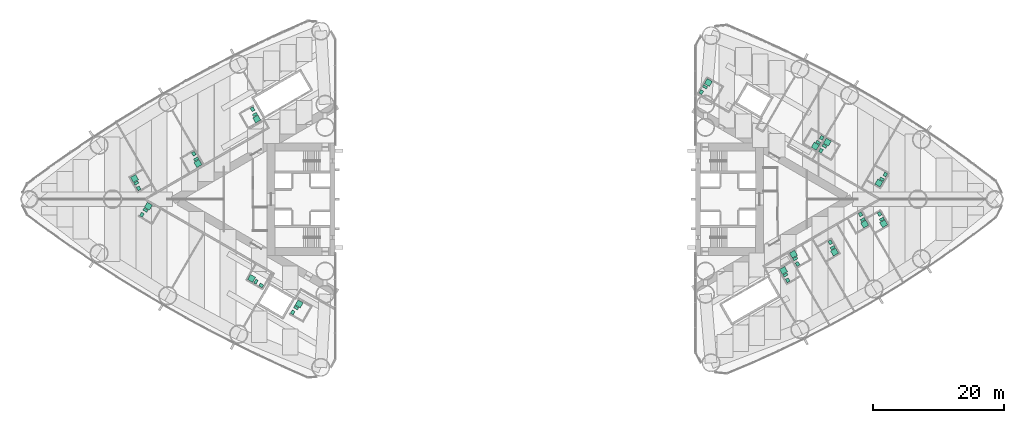
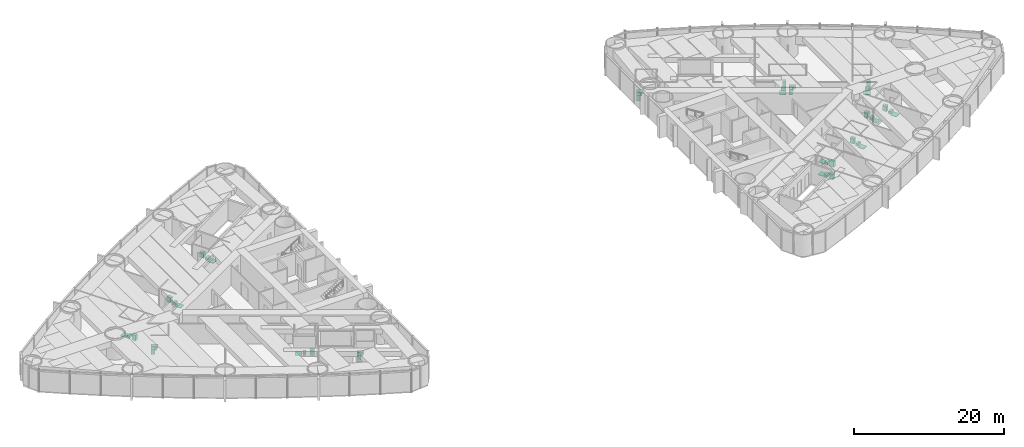
# One storey, part 19 of 19: 19 sanitary terminals.
"""IFC4 building model written with IfcOpenShell, lengths in metres."""

from ifc_helpers import new_model, si_unit, direction, frame, origin, origin_2d, place, context, subcontext, project, spatial, rectangle, extrude, material, type_object, element, save


model = new_model("IFC4")

# Units and contexts
model_context = context("Model", 3, precision=1e-05, world=origin(), true_north=direction((0.0, 1.0)))
body_context = subcontext(model_context, "Body", "Model", "MODEL_VIEW")
ifc_project = project(units=[si_unit("LENGTHUNIT", "METRE"), si_unit("AREAUNIT", "SQUARE_METRE"), si_unit("VOLUMEUNIT", "CUBIC_METRE"), si_unit("PLANEANGLEUNIT", "RADIAN"), si_unit("MASSUNIT", "GRAM", prefix="KILO")], contexts=[model_context])

# Site, building, storey
site_placement = place(None, origin())
site = spatial("IfcSite", under=ifc_project, at=site_placement, CompositionType="ELEMENT")
building_placement = place(site_placement, origin())
building = spatial("IfcBuilding", under=site, at=building_placement, Name="Lancet Gate Hotel", CompositionType="ELEMENT")
storey_placement = place(building_placement, frame((0.0, 0.0, 67.0)))
storey = spatial("IfcBuildingStorey", under=building, at=storey_placement, Name="L17", CompositionType="ELEMENT", Elevation=67.0)

# Sanitary terminals
ifc_material_1 = material(Name="Vitreous china sanitary ware")
sanitary_terminal_type_1 = type_object("IfcSanitaryTerminalType", Name="En-suite sanitary set (shower, WC, basin)", PredefinedType="USERDEFINED", material=ifc_material_1)
sanitary_terminal_1_placement = place(storey_placement, frame((-48.470458984375, 5.448974609375, 0.0), z_axis=(0.0, 0.0, 1.0), x_axis=(1.0, 0.0, 0.0)))
element("IfcSanitaryTerminal", 1, at=sanitary_terminal_1_placement, inside=storey, type_object=sanitary_terminal_type_1, Name="En-suite sanitary set (shower, WC, basin) 1703", ObjectType="EN-SUITE SANITARY SET", PredefinedType="USERDEFINED", context=body_context, shape_type="SweptSolid", body=[
    extrude(rectangle(XDim=0.89990234375, YDim=0.89990234375, at=origin_2d()), frame((0.0, 0.0, 0.0), z_axis=(0.0, 0.0, 1.0), x_axis=(0.5, -0.866025403784, 0.0)), (0.0, 0.0, 1.0), 0.050048828125),
    extrude(rectangle(XDim=0.39990234375, YDim=0.699951171875, at=origin_2d()), frame((-0.2783203125, 0.68212890625, 0.0), z_axis=(0.0, 0.0, 1.0), x_axis=(0.5, -0.866025403784, 0.0)), (0.0, 0.0, 1.0), 0.39990234375),
    extrude(rectangle(XDim=0.60009765625, YDim=0.5, at=origin_2d()), frame((-0.6318359375, 1.494384765625, 0.0), z_axis=(0.0, 0.0, 1.0), x_axis=(0.5, -0.866025403784, 0.0)), (0.0, 0.0, 1.0), 0.85009765625),
])
sanitary_terminal_2_placement = place(storey_placement, frame((-58.160888671875, 3.156494140625, 0.0), z_axis=(0.0, 0.0, 1.0), x_axis=(1.0, 0.0, 0.0)))
element("IfcSanitaryTerminal", 2, at=sanitary_terminal_2_placement, inside=storey, type_object=sanitary_terminal_type_1, Name="En-suite sanitary set (shower, WC, basin) 1704", ObjectType="EN-SUITE SANITARY SET", PredefinedType="USERDEFINED", context=body_context, shape_type="SweptSolid", body=[
    extrude(rectangle(XDim=0.89990234375, YDim=0.89990234375, at=origin_2d()), frame((0.0, 0.0, 0.0), z_axis=(0.0, 0.0, 1.0), x_axis=(-0.5, 0.866025403784, 0.0)), (0.0, 0.0, 1.0), 0.050048828125),
    extrude(rectangle(XDim=0.39990234375, YDim=0.699951171875, at=origin_2d()), frame((0.278564453125, -0.68212890625, 0.0), z_axis=(0.0, 0.0, 1.0), x_axis=(-0.5, 0.866025403784, 0.0)), (0.0, 0.0, 1.0), 0.39990234375),
    extrude(rectangle(XDim=0.60009765625, YDim=0.5, at=origin_2d()), frame((0.6318359375, -1.494140625, 0.0), z_axis=(0.0, 0.0, 1.0), x_axis=(-0.5, 0.866025403784, 0.0)), (0.0, 0.0, 1.0), 0.85009765625),
])
sanitary_terminal_3_placement = place(storey_placement, frame((-56.0458984375, -1.0751953125, 0.0), z_axis=(0.0, 0.0, 1.0), x_axis=(1.0, 0.0, 0.0)))
element("IfcSanitaryTerminal", 3, at=sanitary_terminal_3_placement, inside=storey, type_object=sanitary_terminal_type_1, Name="En-suite sanitary set (shower, WC, basin) 1705", ObjectType="EN-SUITE SANITARY SET", PredefinedType="USERDEFINED", context=body_context, shape_type="SweptSolid", body=[
    extrude(rectangle(XDim=0.89990234375, YDim=0.89990234375, at=origin_2d()), frame((0.0, 0.0, 0.0), z_axis=(0.0, 0.0, 1.0), x_axis=(0.5, 0.866025403784, 0.0)), (0.0, 0.0, 1.0), 0.050048828125),
    extrude(rectangle(XDim=0.39990234375, YDim=0.699951171875, at=origin_2d()), frame((-0.45166015625, -0.582275390625, 0.0), z_axis=(0.0, 0.0, 1.0), x_axis=(0.5, 0.866025403784, 0.0)), (0.0, 0.0, 1.0), 0.39990234375),
    extrude(rectangle(XDim=0.60009765625, YDim=0.5, at=origin_2d()), frame((-0.978271484375, -1.294189453125, 0.0), z_axis=(0.0, 0.0, 1.0), x_axis=(0.5, 0.866025403784, 0.0)), (0.0, 0.0, 1.0), 0.85009765625),
])
sanitary_terminal_4_placement = place(storey_placement, frame((-39.488525390625, 12.251220703125, 0.0), z_axis=(0.0, 0.0, 1.0), x_axis=(1.0, 0.0, 0.0)))
element("IfcSanitaryTerminal", 4, at=sanitary_terminal_4_placement, inside=storey, type_object=sanitary_terminal_type_1, Name="En-suite sanitary set (shower, WC, basin) 1702", ObjectType="EN-SUITE SANITARY SET", PredefinedType="USERDEFINED", context=body_context, shape_type="SweptSolid", body=[
    extrude(rectangle(XDim=0.89990234375, YDim=0.89990234375, at=origin_2d()), frame((0.0, 0.0, 0.0), z_axis=(0.0, 0.0, 1.0), x_axis=(0.5, -0.866025403784, 0.0)), (0.0, 0.0, 1.0), 0.050048828125),
    extrude(rectangle(XDim=0.39990234375, YDim=0.699951171875, at=origin_2d()), frame((-0.2783203125, 0.68212890625, 0.0), z_axis=(0.0, 0.0, 1.0), x_axis=(0.5, -0.866025403784, 0.0)), (0.0, 0.0, 1.0), 0.39990234375),
    extrude(rectangle(XDim=0.60009765625, YDim=0.5, at=origin_2d()), frame((-0.6318359375, 1.494384765625, 0.0), z_axis=(0.0, 0.0, 1.0), x_axis=(0.5, -0.866025403784, 0.0)), (0.0, 0.0, 1.0), 0.85009765625),
])
sanitary_terminal_5_placement = place(storey_placement, frame((-33.0107421875, -15.9912109375, 0.0), z_axis=(0.0, 0.0, 1.0), x_axis=(1.0, 0.0, 0.0)))
element("IfcSanitaryTerminal", 5, at=sanitary_terminal_5_placement, inside=storey, type_object=sanitary_terminal_type_1, Name="En-suite sanitary set (shower, WC, basin) 1708", ObjectType="EN-SUITE SANITARY SET", PredefinedType="USERDEFINED", context=body_context, shape_type="SweptSolid", body=[
    extrude(rectangle(XDim=0.89990234375, YDim=0.89990234375, at=origin_2d()), frame((0.0, 0.0, 0.0), z_axis=(0.0, 0.0, 1.0), x_axis=(0.5, 0.866025403784, 0.0)), (0.0, 0.0, 1.0), 0.050048828125),
    extrude(rectangle(XDim=0.39990234375, YDim=0.699951171875, at=origin_2d()), frame((-0.45166015625, -0.582275390625, 0.0), z_axis=(0.0, 0.0, 1.0), x_axis=(0.5, 0.866025403784, 0.0)), (0.0, 0.0, 1.0), 0.39990234375),
    extrude(rectangle(XDim=0.60009765625, YDim=0.5, at=origin_2d()), frame((-0.978271484375, -1.294189453125, 0.0), z_axis=(0.0, 0.0, 1.0), x_axis=(0.5, 0.866025403784, 0.0)), (0.0, 0.0, 1.0), 0.85009765625),
])
sanitary_terminal_6_placement = place(storey_placement, frame((42.490966796875, -8.401123046875, 0.0), z_axis=(0.0, 0.0, 1.0), x_axis=(1.0, 0.0, 0.0)))
element("IfcSanitaryTerminal", 6, at=sanitary_terminal_6_placement, inside=storey, type_object=sanitary_terminal_type_1, Name="En-suite sanitary set (shower, WC, basin) 1754", ObjectType="EN-SUITE SANITARY SET", PredefinedType="USERDEFINED", context=body_context, shape_type="SweptSolid", body=[
    extrude(rectangle(XDim=0.89990234375, YDim=0.89990234375, at=origin_2d()), frame((0.0, 0.0, 0.0), z_axis=(0.0, 0.0, 1.0), x_axis=(-0.5, 0.866025403784, 0.0)), (0.0, 0.0, 1.0), 0.050048828125),
    extrude(rectangle(XDim=0.39990234375, YDim=0.699951171875, at=origin_2d()), frame((0.2783203125, -0.682373046875, 0.0), z_axis=(0.0, 0.0, 1.0), x_axis=(-0.5, 0.866025403784, 0.0)), (0.0, 0.0, 1.0), 0.39990234375),
    extrude(rectangle(XDim=0.60009765625, YDim=0.5, at=origin_2d()), frame((0.6318359375, -1.494384765625, 0.0), z_axis=(0.0, 0.0, 1.0), x_axis=(-0.5, 0.866025403784, 0.0)), (0.0, 0.0, 1.0), 0.85009765625),
])
sanitary_terminal_7_placement = place(storey_placement, frame((48.767578125, -8.07958984375, 0.0), z_axis=(0.0, 0.0, 1.0), x_axis=(1.0, 0.0, 0.0)))
element("IfcSanitaryTerminal", 7, at=sanitary_terminal_7_placement, inside=storey, type_object=sanitary_terminal_type_1, Name="En-suite sanitary set (shower, WC, basin) 1755", ObjectType="EN-SUITE SANITARY SET", PredefinedType="USERDEFINED", context=body_context, shape_type="SweptSolid", body=[
    extrude(rectangle(XDim=0.89990234375, YDim=0.89990234375, at=origin_2d()), frame((0.0, 0.0, 0.0), z_axis=(0.0, 0.0, 1.0), x_axis=(0.5, -0.866025403784, 0.0)), (0.0, 0.0, 1.0), 0.050048828125),
    extrude(rectangle(XDim=0.39990234375, YDim=0.699951171875, at=origin_2d()), frame((-0.2783203125, 0.68212890625, 0.0), z_axis=(0.0, 0.0, 1.0), x_axis=(0.5, -0.866025403784, 0.0)), (0.0, 0.0, 1.0), 0.39990234375),
    extrude(rectangle(XDim=0.60009765625, YDim=0.5, at=origin_2d()), frame((-0.631591796875, 1.494140625, 0.0), z_axis=(0.0, 0.0, 1.0), x_axis=(0.5, -0.866025403784, 0.0)), (0.0, 0.0, 1.0), 0.85009765625),
])
sanitary_terminal_8_placement = place(storey_placement, frame((53.37109375, -3.805419921875, 0.0), z_axis=(0.0, 0.0, 1.0), x_axis=(1.0, 0.0, 0.0)))
element("IfcSanitaryTerminal", 8, at=sanitary_terminal_8_placement, inside=storey, type_object=sanitary_terminal_type_1, Name="En-suite sanitary set (shower, WC, basin) 1756", ObjectType="EN-SUITE SANITARY SET", PredefinedType="USERDEFINED", context=body_context, shape_type="SweptSolid", body=[
    extrude(rectangle(XDim=0.89990234375, YDim=0.89990234375, at=origin_2d()), frame((0.0, 0.0, 0.0), z_axis=(0.0, 0.0, 1.0), x_axis=(0.5, -0.866025403784, 0.0)), (0.0, 0.0, 1.0), 0.050048828125),
    extrude(rectangle(XDim=0.39990234375, YDim=0.699951171875, at=origin_2d()), frame((-0.2783203125, 0.68212890625, 0.0), z_axis=(0.0, 0.0, 1.0), x_axis=(0.5, -0.866025403784, 0.0)), (0.0, 0.0, 1.0), 0.39990234375),
    extrude(rectangle(XDim=0.60009765625, YDim=0.5, at=origin_2d()), frame((-0.6318359375, 1.494384765625, 0.0), z_axis=(0.0, 0.0, 1.0), x_axis=(0.5, -0.866025403784, 0.0)), (0.0, 0.0, 1.0), 0.85009765625),
])
sanitary_terminal_9_placement = place(storey_placement, frame((56.279541015625, -3.742919921875, 0.0), z_axis=(0.0, 0.0, 1.0), x_axis=(1.0, 0.0, 0.0)))
element("IfcSanitaryTerminal", 9, at=sanitary_terminal_9_placement, inside=storey, type_object=sanitary_terminal_type_1, Name="En-suite sanitary set (shower, WC, basin) 1757", ObjectType="EN-SUITE SANITARY SET", PredefinedType="USERDEFINED", context=body_context, shape_type="SweptSolid", body=[
    extrude(rectangle(XDim=0.89990234375, YDim=0.89990234375, at=origin_2d()), frame((0.0, 0.0, 0.0), z_axis=(0.0, 0.0, 1.0), x_axis=(0.5, -0.866025403784, 0.0)), (0.0, 0.0, 1.0), 0.050048828125),
    extrude(rectangle(XDim=0.39990234375, YDim=0.699951171875, at=origin_2d()), frame((-0.2783203125, 0.682373046875, 0.0), z_axis=(0.0, 0.0, 1.0), x_axis=(0.5, -0.866025403784, 0.0)), (0.0, 0.0, 1.0), 0.39990234375),
    extrude(rectangle(XDim=0.60009765625, YDim=0.5, at=origin_2d()), frame((-0.6318359375, 1.494384765625, 0.0), z_axis=(0.0, 0.0, 1.0), x_axis=(0.5, -0.866025403784, 0.0)), (0.0, 0.0, 1.0), 0.85009765625),
])
sanitary_terminal_10_placement = place(storey_placement, frame((55.549560546875, 2.478515625, 0.0), z_axis=(0.0, 0.0, 1.0), x_axis=(1.0, 0.0, 0.0)))
element("IfcSanitaryTerminal", 10, at=sanitary_terminal_10_placement, inside=storey, type_object=sanitary_terminal_type_1, Name="En-suite sanitary set (shower, WC, basin) 1758", ObjectType="EN-SUITE SANITARY SET", PredefinedType="USERDEFINED", context=body_context, shape_type="SweptSolid", body=[
    extrude(rectangle(XDim=0.89990234375, YDim=0.89990234375, at=origin_2d()), frame((0.0, 0.0, 0.0), z_axis=(0.0, 0.0, 1.0), x_axis=(-0.5, -0.866025403784, 0.0)), (0.0, 0.0, 1.0), 0.050048828125),
    extrude(rectangle(XDim=0.39990234375, YDim=0.699951171875, at=origin_2d()), frame((0.45166015625, 0.58203125, 0.0), z_axis=(0.0, 0.0, 1.0), x_axis=(-0.5, -0.866025403784, 0.0)), (0.0, 0.0, 1.0), 0.39990234375),
    extrude(rectangle(XDim=0.60009765625, YDim=0.5, at=origin_2d()), frame((0.97802734375, 1.294189453125, 0.0), z_axis=(0.0, 0.0, 1.0), x_axis=(-0.5, -0.866025403784, 0.0)), (0.0, 0.0, 1.0), 0.85009765625),
])
sanitary_terminal_11_placement = place(storey_placement, frame((47.676513671875, 8.709716796875, 0.0), z_axis=(0.0, 0.0, 1.0), x_axis=(1.0, 0.0, 0.0)))
element("IfcSanitaryTerminal", 11, at=sanitary_terminal_11_placement, inside=storey, type_object=sanitary_terminal_type_1, Name="En-suite sanitary set (shower, WC, basin) 1759", ObjectType="EN-SUITE SANITARY SET", PredefinedType="USERDEFINED", context=body_context, shape_type="SweptSolid", body=[
    extrude(rectangle(XDim=0.89990234375, YDim=0.89990234375, at=origin_2d()), frame((0.0, 0.0, 0.0), z_axis=(0.0, 0.0, 1.0), x_axis=(0.5, 0.866025403784, 0.0)), (0.0, 0.0, 1.0), 0.050048828125),
    extrude(rectangle(XDim=0.39990234375, YDim=0.699951171875, at=origin_2d()), frame((-0.45166015625, -0.582275390625, 0.0), z_axis=(0.0, 0.0, 1.0), x_axis=(0.5, 0.866025403784, 0.0)), (0.0, 0.0, 1.0), 0.39990234375),
    extrude(rectangle(XDim=0.60009765625, YDim=0.5, at=origin_2d()), frame((-0.978271484375, -1.29443359375, 0.0), z_axis=(0.0, 0.0, 1.0), x_axis=(0.5, 0.866025403784, 0.0)), (0.0, 0.0, 1.0), 0.85009765625),
])
sanitary_terminal_12_placement = place(storey_placement, frame((45.829345703125, 8.09033203125, 0.0), z_axis=(0.0, 0.0, 1.0), x_axis=(1.0, 0.0, 0.0)))
element("IfcSanitaryTerminal", 12, at=sanitary_terminal_12_placement, inside=storey, type_object=sanitary_terminal_type_1, Name="En-suite sanitary set (shower, WC, basin) 1761", ObjectType="EN-SUITE SANITARY SET", PredefinedType="USERDEFINED", context=body_context, shape_type="SweptSolid", body=[
    extrude(rectangle(XDim=0.89990234375, YDim=0.89990234375, at=origin_2d()), frame((0.0, 0.0, 0.0), z_axis=(0.0, 0.0, 1.0), x_axis=(-0.5, -0.866025403784, 0.0)), (0.0, 0.0, 1.0), 0.050048828125),
    extrude(rectangle(XDim=0.39990234375, YDim=0.699951171875, at=origin_2d()), frame((0.45166015625, 0.582275390625, 0.0), z_axis=(0.0, 0.0, 1.0), x_axis=(-0.5, -0.866025403784, 0.0)), (0.0, 0.0, 1.0), 0.39990234375),
    extrude(rectangle(XDim=0.60009765625, YDim=0.5, at=origin_2d()), frame((0.978271484375, 1.294189453125, 0.0), z_axis=(0.0, 0.0, 1.0), x_axis=(-0.5, -0.866025403784, 0.0)), (0.0, 0.0, 1.0), 0.85009765625),
])
sanitary_terminal_13_placement = place(storey_placement, frame((40.982666015625, -10.888671875, 0.0), z_axis=(0.0, 0.0, 1.0), x_axis=(1.0, 0.0, 0.0)))
element("IfcSanitaryTerminal", 13, at=sanitary_terminal_13_placement, inside=storey, type_object=sanitary_terminal_type_1, Name="En-suite sanitary set (shower, WC, basin) 1753", ObjectType="EN-SUITE SANITARY SET", PredefinedType="USERDEFINED", context=body_context, shape_type="SweptSolid", body=[
    extrude(rectangle(XDim=0.89990234375, YDim=0.89990234375, at=origin_2d()), frame((0.0, 0.0, 0.0), z_axis=(0.0, 0.0, 1.0), x_axis=(-0.5, 0.866025403784, 0.0)), (0.0, 0.0, 1.0), 0.050048828125),
    extrude(rectangle(XDim=0.39990234375, YDim=0.699951171875, at=origin_2d()), frame((0.2783203125, -0.68212890625, 0.0), z_axis=(0.0, 0.0, 1.0), x_axis=(-0.5, 0.866025403784, 0.0)), (0.0, 0.0, 1.0), 0.39990234375),
    extrude(rectangle(XDim=0.60009765625, YDim=0.5, at=origin_2d()), frame((0.6318359375, -1.494140625, 0.0), z_axis=(0.0, 0.0, 1.0), x_axis=(-0.5, 0.866025403784, 0.0)), (0.0, 0.0, 1.0), 0.85009765625),
])
ifc_material_2 = material(Name="Stone resin shower tray", Category="masonry")
sanitary_terminal_type_2 = type_object("IfcSanitaryTerminalType", Name="Shower tray 900", PredefinedType="SHOWER", material=ifc_material_2)
for number, where, z_axis, x_axis, name in (
    (14, (-40.2763671875, -12.0966796875, 0.0), (0.0, 0.0, 1.0), (-0.866025403784, 0.5, 0.0), "Shower tray 900 1707"),
    (15, (29.490478515625, 17.82373046875, 0.0), (0.0, 0.0, 1.0), (0.5, 0.866025403784, 0.0), "Shower tray 900 1763"),
):
    element("IfcSanitaryTerminal", number, at=place(storey_placement, frame(where, z_axis=z_axis, x_axis=x_axis)), inside=storey, type_object=sanitary_terminal_type_2, Name=name, PredefinedType="SHOWER", context=body_context, shape_type="SweptSolid", body=[
        extrude(rectangle(XDim=0.89990234375, YDim=0.89990234375, at=origin_2d()), origin(), (0.0, 0.0, 1.0), 0.050048828125),
    ])
ifc_material_3 = material(Name="Vitreous china sanitary ware")
sanitary_terminal_type_3 = type_object("IfcSanitaryTerminalType", Name="Vanity basin 600", PredefinedType="WASHHANDBASIN", material=ifc_material_3)
for number, where, z_axis, x_axis, name in (
    (16, (-38.808837890625, -13.1748046875, 0.0), (0.0, 0.0, 1.0), (-0.866025403784, 0.5, 0.0), "Vanity basin 600 1707"),
    (17, (28.412353515625, 16.356201171875, 0.0), (0.0, 0.0, 1.0), (0.5, 0.866025403784, 0.0), "Vanity basin 600 1763"),
):
    element("IfcSanitaryTerminal", number, at=place(storey_placement, frame(where, z_axis=z_axis, x_axis=x_axis)), inside=storey, type_object=sanitary_terminal_type_3, Name=name, PredefinedType="WASHHANDBASIN", context=body_context, shape_type="SweptSolid", body=[
        extrude(rectangle(XDim=0.60009765625, YDim=0.5, at=origin_2d()), origin(), (0.0, 0.0, 1.0), 0.85009765625),
    ])
ifc_material_4 = material(Name="Vitreous china sanitary ware")
sanitary_terminal_type_4 = type_object("IfcSanitaryTerminalType", Name="WC pan wall hung", PredefinedType="TOILETPAN", material=ifc_material_4)
for number, where, z_axis, x_axis, name in (
    (18, (-39.607421875, -12.59814453125, 0.0), (0.0, 0.0, 1.0), (-0.866025403784, 0.5, 0.0), "WC pan wall hung 1707"),
    (19, (28.989013671875, 17.155029296875, 0.0), (0.0, 0.0, 1.0), (0.5, 0.866025403784, 0.0), "WC pan wall hung 1763"),
):
    element("IfcSanitaryTerminal", number, at=place(storey_placement, frame(where, z_axis=z_axis, x_axis=x_axis)), inside=storey, type_object=sanitary_terminal_type_4, Name=name, PredefinedType="TOILETPAN", context=body_context, shape_type="SweptSolid", body=[
        extrude(rectangle(XDim=0.39990234375, YDim=0.699951171875, at=origin_2d()), origin(), (0.0, 0.0, 1.0), 0.39990234375),
    ])

save(model, "model.ifc")
